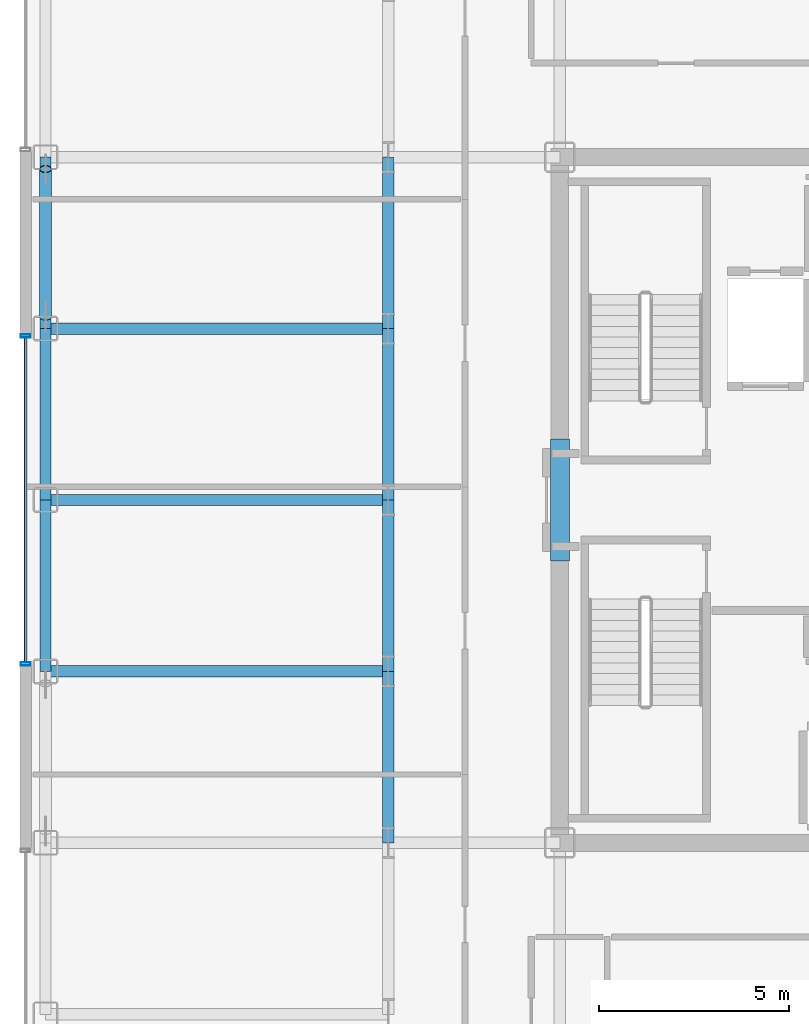
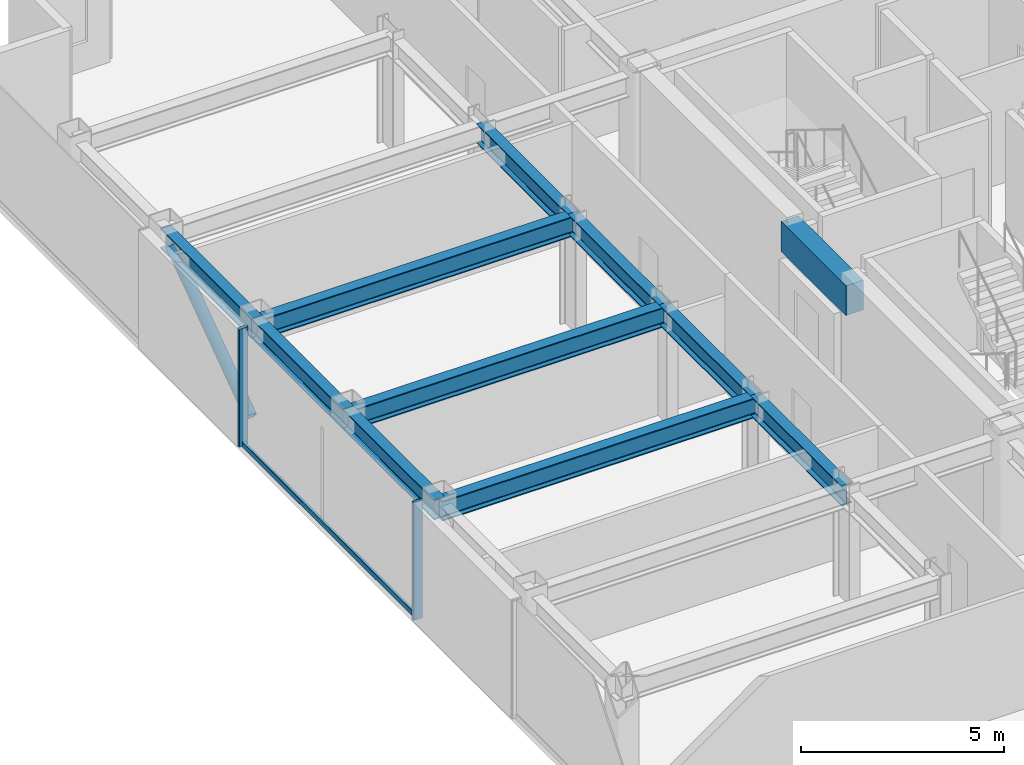
# One storey, part 5 of 21: 11 beams, 4 members, 1 element without a shape of its own.
"""IFC4 building model written with IfcOpenShell, lengths in metres."""

from ifc_helpers import new_model, si_unit, direction, frame, origin, origin_2d, place, context, subcontext, project, spatial, rectangle, hollow_rectangle, hollow_circle, i_section, extrude, source, transform, mapped, material, layer, layer_set, material_profile, profile_set, type_object, element, aggregate, save


model = new_model("IFC4")

# Units and contexts
model_context = context("Model", 3, precision=1e-05, world=origin(), true_north=direction((0.0, 1.0)))
body_context = subcontext(model_context, "Body", "Model", "MODEL_VIEW")
ifc_project = project(units=[si_unit("LENGTHUNIT", "METRE"), si_unit("AREAUNIT", "SQUARE_METRE"), si_unit("VOLUMEUNIT", "CUBIC_METRE"), si_unit("PLANEANGLEUNIT", "RADIAN"), si_unit("MASSUNIT", "GRAM", prefix="KILO")], contexts=[model_context])

# Site, building, storey
site_placement = place(None, origin())
site = spatial("IfcSite", under=ifc_project, at=site_placement, CompositionType="ELEMENT")
building_placement = place(site_placement, origin())
building = spatial("IfcBuilding", under=site, at=building_placement, Name="Nefas-Gora Pilgrimage Tower", CompositionType="ELEMENT")
storey_placement = place(building_placement, frame((0.0, 0.0, 252.199951171875)))
storey = spatial("IfcBuildingStorey", under=building, at=storey_placement, Name="L63", CompositionType="ELEMENT", Elevation=252.199951171875)

# Beams
ifc_material_1 = material(Name="Concrete C50/60", Category="concrete")
ifc_material_profile_1 = material_profile(ifc_material_1, rectangle(XDim=0.5, YDim=0.89990234375, at=origin_2d()), Name="RC 500x900")
ifc_profile_set_1 = profile_set([ifc_material_profile_1], Name="Concrete C50/60")
beam_type_1 = type_object("IfcBeamType", Name="BM-LIN-RC900", PredefinedType="LINTEL", material=ifc_profile_set_1)
shared_shape_1 = source(origin(), body_context, "Body", "SweptSolid", [
    extrude(rectangle(XDim=0.5, YDim=0.89990234375, at=origin_2d()), origin(), (0.0, 0.0, 1.0), 3.2001953125),
])
beam_placement = place(storey_placement, frame((-11.25, -1.60009765625, 3.10009765625), z_axis=(0.0, 1.0, 0.0), x_axis=(-1.0, 0.0, 0.0)))
element("IfcBeam", 1, at=beam_placement, inside=storey, type_object=beam_type_1, Name="L63 Core Coupling Lintel Beam W", PredefinedType="LINTEL", context=body_context, shape_type="MappedRepresentation", body=[
    mapped(shared_shape_1, transform((0.0, 0.0, 0.0), x_axis=(1.0, 0.0, 0.0), y_axis=(0.0, 1.0, 0.0), z_axis=(0.0, 0.0, 1.0), scale=1.0)),
])
ifc_material_2 = material(Name="Steel S355", Category="steel")
ifc_material_profile_2 = material_profile(ifc_material_2, i_section(OverallWidth=0.300048828125, OverallDepth=0.60009765625, WebThickness=0.015380859375, FlangeThickness=0.030029296875, FilletRadius=0.027099609375, at=origin_2d()), Name="HEB 600")
ifc_profile_set_2 = profile_set([ifc_material_profile_2], Name="Steel S355")
beam_type_2 = type_object("IfcBeamType", Name="BM-SPN-HEB450", PredefinedType="SPANDREL", material=ifc_profile_set_2)
shared_shape_2 = source(origin(), body_context, "Body", "SweptSolid", [
    extrude(i_section(OverallWidth=0.300048828125, OverallDepth=0.60009765625, WebThickness=0.015380859375, FlangeThickness=0.030029296875, FilletRadius=0.027099609375, at=origin_2d()), origin(), (0.0, 0.0, 1.0), 4.5),
])
for number, where, z_axis, x_axis, name in (
    (2, (-24.75, -4.5, 3.25), (0.0, 1.0, 0.0), (-1.0, 0.0, 0.0), "L63 SP-03 beam"),
    (3, (-24.75, 0.0, 3.25), (0.0, 1.0, 0.0), (-1.0, 0.0, 0.0), "L63 SP-03 beam"),
    (4, (-24.75, 4.5, 3.25), (0.0, 1.0, 0.0), (-1.0, 0.0, 0.0), "L63 SP-03 beam"),
):
    element("IfcBeam", number, at=place(storey_placement, frame(where, z_axis=z_axis, x_axis=x_axis)), inside=storey, type_object=beam_type_2, Name=name, PredefinedType="SPANDREL", context=body_context, shape_type="MappedRepresentation", body=[
        mapped(shared_shape_2, transform((0.0, 0.0, 0.0), x_axis=(1.0, 0.0, 0.0), y_axis=(0.0, 1.0, 0.0), z_axis=(0.0, 0.0, 1.0), scale=1.0)),
    ])
ifc_material_profile_3 = material_profile(ifc_material_2, i_section(OverallWidth=0.300048828125, OverallDepth=0.60009765625, WebThickness=0.015380859375, FlangeThickness=0.030029296875, FilletRadius=0.027099609375, at=origin_2d()), Name="HEB 600")
ifc_profile_set_3 = profile_set([ifc_material_profile_3], Name="Steel S355")
beam_type_3 = type_object("IfcBeamType", Name="BM-GIR-HEB600", PredefinedType="BEAM", material=ifc_profile_set_3)
shared_shape_3 = source(origin(), body_context, "Body", "SweptSolid", [
    extrude(i_section(OverallWidth=0.300048828125, OverallDepth=0.60009765625, WebThickness=0.015380859375, FlangeThickness=0.030029296875, FilletRadius=0.027099609375, at=origin_2d()), origin(), (0.0, 0.0, 1.0), 9.0),
])
for number, where, z_axis, x_axis, name in (
    (5, (-24.75, -4.5, 3.25), (1.0, 0.0, 0.0), (0.0, 1.0, 0.0), "L63 G-04 beam"),
    (6, (-24.75, 0.0, 3.25), (1.0, 0.0, 0.0), (0.0, 1.0, 0.0), "L63 G-04 beam"),
    (7, (-24.75, 4.5, 3.25), (1.0, 0.0, 0.0), (0.0, 1.0, 0.0), "L63 G-04 beam"),
):
    element("IfcBeam", number, at=place(storey_placement, frame(where, z_axis=z_axis, x_axis=x_axis)), inside=storey, type_object=beam_type_3, Name=name, PredefinedType="BEAM", context=body_context, shape_type="MappedRepresentation", body=[
        mapped(shared_shape_3, transform((0.0, 0.0, 0.0), x_axis=(1.0, 0.0, 0.0), y_axis=(0.0, 1.0, 0.0), z_axis=(0.0, 0.0, 1.0), scale=1.0)),
    ])
shared_shape_4 = source(origin(), body_context, "Body", "SweptSolid", [
    extrude(i_section(OverallWidth=0.300048828125, OverallDepth=0.60009765625, WebThickness=0.015380859375, FlangeThickness=0.030029296875, FilletRadius=0.027099609375, at=origin_2d()), origin(), (0.0, 0.0, 1.0), 4.5),
])
for number, where, z_axis, x_axis, name in (
    (8, (-15.75, -9.0, 3.25), (0.0, 1.0, 0.0), (-1.0, 0.0, 0.0), "L63 G-04 beam"),
    (9, (-15.75, -4.5, 3.25), (0.0, 1.0, 0.0), (-1.0, 0.0, 0.0), "L63 G-04 beam"),
    (10, (-15.75, 0.0, 3.25), (0.0, 1.0, 0.0), (-1.0, 0.0, 0.0), "L63 G-04 beam"),
    (11, (-15.75, 4.5, 3.25), (0.0, 1.0, 0.0), (-1.0, 0.0, 0.0), "L63 G-04 beam"),
):
    element("IfcBeam", number, at=place(storey_placement, frame(where, z_axis=z_axis, x_axis=x_axis)), inside=storey, type_object=beam_type_3, Name=name, PredefinedType="BEAM", context=body_context, shape_type="MappedRepresentation", body=[
        mapped(shared_shape_4, transform((0.0, 0.0, 0.0), x_axis=(1.0, 0.0, 0.0), y_axis=(0.0, 1.0, 0.0), z_axis=(0.0, 0.0, 1.0), scale=1.0)),
    ])

# Member
ifc_material_profile_4 = material_profile(ifc_material_2, hollow_circle(Radius=0.161865234375, WallThickness=0.02001953125, at=origin_2d()), Name="CHS 323.9x20")
ifc_profile_set_4 = profile_set([ifc_material_profile_4], Name="Steel S355")
member_type_1 = type_object("IfcMemberType", Name="MEM-TUBE-324", PredefinedType="BRACE", material=ifc_profile_set_4)
shared_shape_5 = source(origin(), body_context, "Body", "SweptSolid", [
    extrude(hollow_circle(Radius=0.161865234375, WallThickness=0.02001953125, at=origin_2d()), origin(), (0.0, 0.0, 1.0), 4.763671875),
])
member_1_placement = place(storey_placement, frame((-24.75, 4.81298828125, 0.3740234375), z_axis=(0.0, 0.813255312614, 0.581907034246), x_axis=(-1.0, 0.0, 0.0)))
element("IfcMember", 12, at=member_1_placement, inside=storey, type_object=member_type_1, Name="L63 Perimeter Tube Diagonal Brace W2", PredefinedType="BRACE", context=body_context, shape_type="MappedRepresentation", body=[
    mapped(shared_shape_5, transform((0.0, 0.0, 0.0), x_axis=(1.0, 0.0, 0.0), y_axis=(0.0, 1.0, 0.0), z_axis=(0.0, 0.0, 1.0), scale=1.0)),
])

# Curtain wall, members
ifc_material_3 = material(Name="Dark ceramic-fritted solar-control aluminium-glass curtain wall", Category="aluminium")
ifc_layer = layer(ifc_material_3, 0.219970703125)
ifc_layer_set = layer_set([ifc_layer], Name="Dark ceramic-fritted solar-control aluminium-glass curtain wall")
curtain_wall_type = type_object("IfcCurtainWallType", Name="CW-SYS-3", PredefinedType="NOTDEFINED", material=ifc_layer_set)
curtain_wall_placement = place(storey_placement, origin())
curtain_wall = element("IfcCurtainWall", 13, at=curtain_wall_placement, inside=storey, type_object=curtain_wall_type, Name="L63 Unitised Curtain Wall CW3", PredefinedType="NOTDEFINED")
ifc_material_4 = material(Name="Anodised architectural aluminium", Category="aluminium")
ifc_material_profile_5 = material_profile(ifc_material_4, hollow_rectangle(XDim=0.090087890625, YDim=0.260009765625, WallThickness=0.006103515625, InnerFilletRadius=0.006103515625, OuterFilletRadius=0.011962890625, at=origin_2d()), Name="ALU MULLION 90x260")
ifc_profile_set_5 = profile_set([ifc_material_profile_5], Name="Anodised architectural aluminium")
member_type_2 = type_object("IfcMemberType", Name="CWM-MUL-3", PredefinedType="MULLION", material=ifc_profile_set_5)
shared_shape_6 = source(origin(), body_context, "Body", "SweptSolid", [
    extrude(hollow_rectangle(XDim=0.090087890625, YDim=0.260009765625, WallThickness=0.006103515625, InnerFilletRadius=0.006103515625, OuterFilletRadius=0.011962890625, at=origin_2d()), origin(), (0.0, 0.0, 1.0), 3.550048828125),
])
member_2_placement = place(storey_placement, frame((-25.27001953125, 4.304931640625, 0.0), z_axis=(0.0, 0.0, 1.0), x_axis=(0.0, -1.0, 0.0)))
member_2 = element("IfcMember", 14, at=member_2_placement, type_object=member_type_2, Name="CW3 Mullion 1", PredefinedType="MULLION", context=body_context, shape_type="MappedRepresentation", body=[
    mapped(shared_shape_6, transform((0.0, 0.0, 0.0), x_axis=(1.0, 0.0, 0.0), y_axis=(0.0, 1.0, 0.0), z_axis=(0.0, 0.0, 1.0), scale=1.0)),
])
member_3_placement = place(storey_placement, frame((-25.27001953125, -4.304931640625, 0.0), z_axis=(0.0, 0.0, 1.0), x_axis=(0.0, -1.0, 0.0)))
member_3 = element("IfcMember", 15, at=member_3_placement, type_object=member_type_2, Name="CW3 Mullion 2", PredefinedType="MULLION", context=body_context, shape_type="MappedRepresentation", body=[
    mapped(shared_shape_6, transform((0.0, 0.0, 0.0), x_axis=(1.0, 0.0, 0.0), y_axis=(0.0, 1.0, 0.0), z_axis=(0.0, 0.0, 1.0), scale=1.0)),
])
ifc_material_profile_6 = material_profile(ifc_material_4, hollow_rectangle(XDim=0.080078125, YDim=0.159912109375, WallThickness=0.00439453125, InnerFilletRadius=0.00439453125, OuterFilletRadius=0.009033203125, at=origin_2d()), Name="ALU TRANSOM 80x160")
ifc_profile_set_6 = profile_set([ifc_material_profile_6], Name="Anodised architectural aluminium")
member_type_3 = type_object("IfcMemberType", Name="CWM-TRN-3", PredefinedType="USERDEFINED", material=ifc_profile_set_6)
shared_shape_7 = source(origin(), body_context, "Body", "SweptSolid", [
    extrude(hollow_rectangle(XDim=0.080078125, YDim=0.159912109375, WallThickness=0.00439453125, InnerFilletRadius=0.00439453125, OuterFilletRadius=0.009033203125, at=origin_2d()), origin(), (0.0, 0.0, 1.0), 8.52001953125),
])
member_4_placement = place(storey_placement, frame((-25.27001953125, 4.260009765625, 0.050048828125), z_axis=(0.0, -1.0, 0.0), x_axis=(1.0, 0.0, 0.0)))
member_4 = element("IfcMember", 16, at=member_4_placement, type_object=member_type_3, Name="CW3 Spandrel Transom", ObjectType="TRANSOM", PredefinedType="USERDEFINED", context=body_context, shape_type="MappedRepresentation", body=[
    mapped(shared_shape_7, transform((0.0, 0.0, 0.0), x_axis=(1.0, 0.0, 0.0), y_axis=(0.0, 1.0, 0.0), z_axis=(0.0, 0.0, 1.0), scale=1.0)),
])
aggregate(curtain_wall, [member_2, member_3, member_4])

save(model, "model.ifc")
